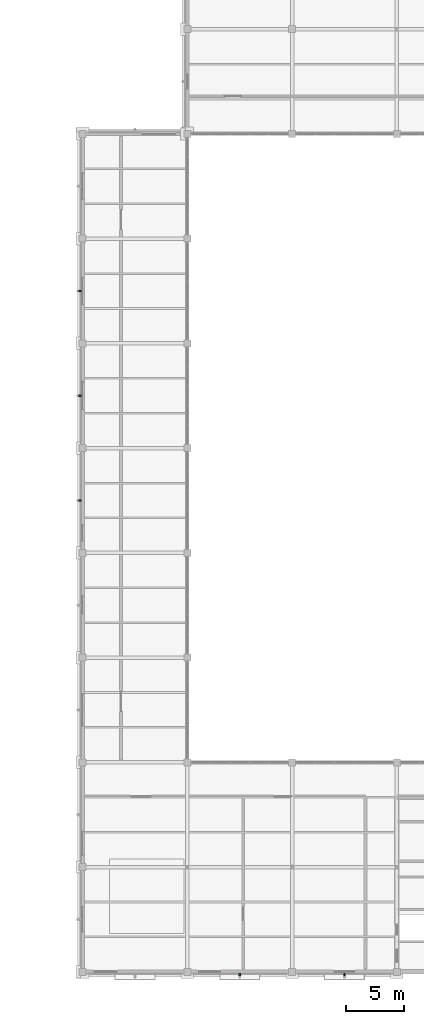
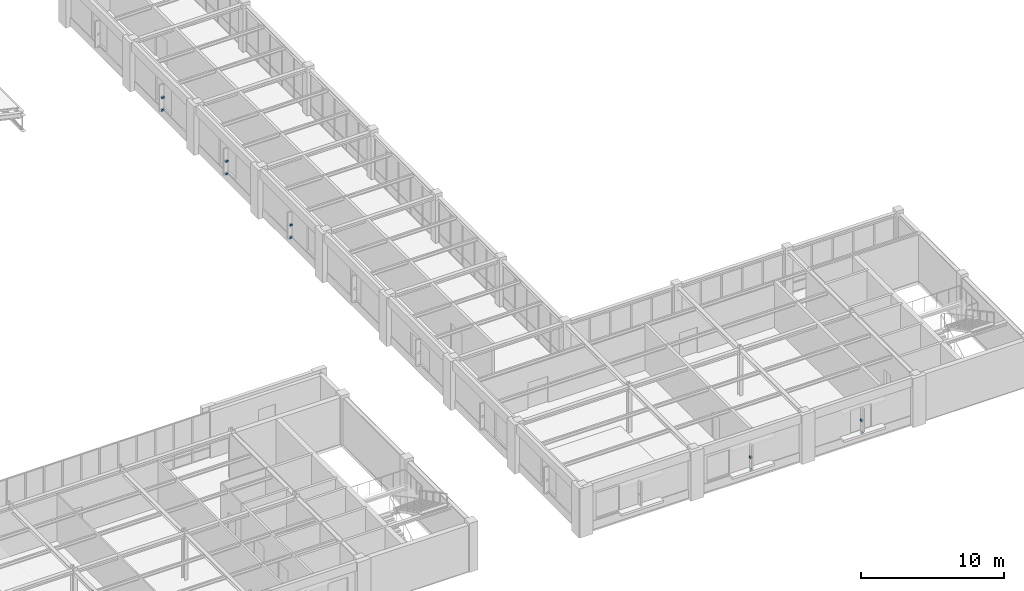
# One storey, part 119 of 130: 10 discrete accessories.
"""IFC4 building model written with IfcOpenShell, lengths in metres."""

from ifc_helpers import new_model, si_unit, direction, frame, origin, origin_2d, place, context, subcontext, project, spatial, rectangle, extrude, material, type_object, element, save


model = new_model("IFC4")

# Units and contexts
model_context = context("Model", 3, precision=1e-05, world=origin(), true_north=direction((0.0, 1.0)))
body_context = subcontext(model_context, "Body", "Model", "MODEL_VIEW")
ifc_project = project(units=[si_unit("LENGTHUNIT", "METRE"), si_unit("AREAUNIT", "SQUARE_METRE"), si_unit("VOLUMEUNIT", "CUBIC_METRE"), si_unit("PLANEANGLEUNIT", "RADIAN"), si_unit("MASSUNIT", "GRAM", prefix="KILO")], contexts=[model_context])

# Site, building, storey
site_placement = place(None, origin())
site = spatial("IfcSite", under=ifc_project, at=site_placement, CompositionType="ELEMENT")
building_placement = place(site_placement, origin())
building = spatial("IfcBuilding", under=site, at=building_placement, Name="Lykobir Media Centre", CompositionType="ELEMENT")
storey_placement = place(building_placement, frame((0.0, 0.0, 19.199951171875)))
storey = spatial("IfcBuildingStorey", under=building, at=storey_placement, Name="L04", CompositionType="ELEMENT", Elevation=19.199951171875)

# Discrete accessories
ifc_material = material(Name="Steel S355", Category="steel")
discrete_accessory_type = type_object("IfcDiscreteAccessoryType", Name="ACC-BRK", PredefinedType="BRACKET", material=ifc_material)
for number, where, z_axis, x_axis, name in (
    (1, (89.764892578125, 40.5, 0.7001953125), (0.0, 0.0, 1.0), (0.0, -1.0, 0.0), "Cumba corbel bracket 133"),
    (2, (89.764892578125, 40.5, 1.77001953125), (0.0, 0.0, 1.0), (0.0, -1.0, 0.0), "Shading fin bracket 134"),
    (3, (89.764892578125, 49.5, 0.7001953125), (0.0, 0.0, 1.0), (0.0, -1.0, 0.0), "Cumba corbel bracket 135"),
    (4, (89.764892578125, 49.5, 1.77001953125), (0.0, 0.0, 1.0), (0.0, -1.0, 0.0), "Shading fin bracket 136"),
    (5, (89.764892578125, 58.5, 0.7001953125), (0.0, 0.0, 1.0), (0.0, -1.0, 0.0), "Cumba corbel bracket 137"),
    (6, (89.764892578125, 58.5, 1.77001953125), (0.0, 0.0, 1.0), (0.0, -1.0, 0.0), "Shading fin bracket 138"),
    (7, (103.5, -0.235107421875, 0.7001953125), (0.0, 0.0, 1.0), (1.0, 0.0, 0.0), "Cumba corbel bracket 147"),
    (8, (103.5, -0.235107421875, 1.77001953125), (0.0, 0.0, 1.0), (1.0, 0.0, 0.0), "Shading fin bracket 148"),
    (9, (112.5, -0.235107421875, 0.7001953125), (0.0, 0.0, 1.0), (1.0, 0.0, 0.0), "Cumba corbel bracket 149"),
    (10, (112.5, -0.235107421875, 1.77001953125), (0.0, 0.0, 1.0), (1.0, 0.0, 0.0), "Shading fin bracket 150"),
):
    element("IfcDiscreteAccessory", number, at=place(storey_placement, frame(where, z_axis=z_axis, x_axis=x_axis)), inside=storey, type_object=discrete_accessory_type, Name=name, PredefinedType="BRACKET", context=body_context, shape_type="SweptSolid", body=[
        extrude(rectangle(XDim=0.159912109375, YDim=0.219970703125, at=origin_2d()), origin(), (0.0, 0.0, 1.0), 0.159912109375),
    ])

save(model, "model.ifc")
